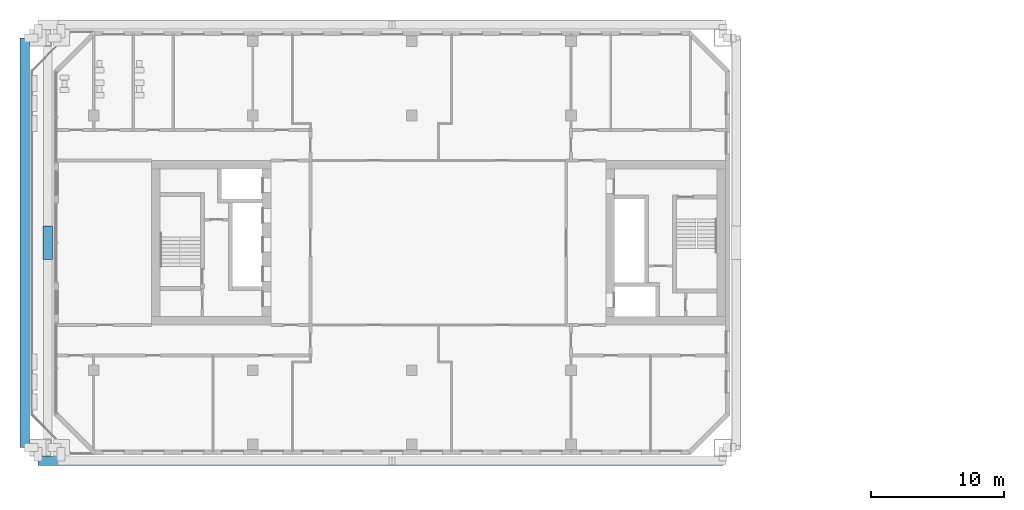
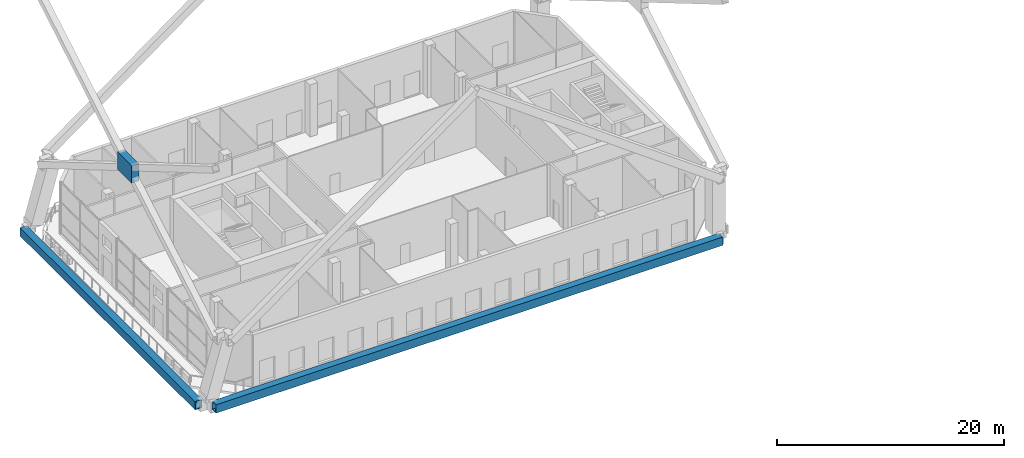
# One storey, part 3 of 20: 2 beams, 1 member.
"""IFC4 building model written with IfcOpenShell, lengths in metres."""

import ifcopenshell
import ifcopenshell.guid

model = None  # the IFC model being written
_history = None  # IfcOwnerHistory: only IFC2X3 demands one
_inside = {}  # id of a spatial element -> (the spatial element, [elements in it])
_under = {}  # id of a project, library or spatial element -> (it, [spatial elements below it])
_declared = {}  # id of a project -> (the project, [libraries it declares])
_typed = {}  # id of a type object -> (the type object, [elements of that type])
_made_of = {}  # id of a material, layer set ... -> (it, [elements and type objects made of it])


def new_model(schema):
    """Start an empty IFC model of exactly this schema.

    Asked for "IFC4X3", IfcOpenShell would pick the latest addendum, in which some entities
    have other attributes; the version numbers below select the first issue.
    IFC2X3 requires an IfcOwnerHistory on every rooted entity: one is made here for all.
    """
    global model, _history
    if schema == "IFC4X3":
        model = ifcopenshell.file(schema_version=(4, 3, 0, 0))
    else:
        model = ifcopenshell.file(schema=schema)
    _inside.clear()
    _under.clear()
    _declared.clear()
    _typed.clear()
    _made_of.clear()
    _history = None
    if model.schema == "IFC2X3":
        org = make("IfcOrganization", Name="unknown")
        user = make(
            "IfcPersonAndOrganization",
            ThePerson=make("IfcPerson", FamilyName="unknown"),
            TheOrganization=org,
        )
        app = make(
            "IfcApplication",
            ApplicationDeveloper=org,
            Version="unknown",
            ApplicationFullName="unknown",
            ApplicationIdentifier="unknown",
        )
        _history = make(
            "IfcOwnerHistory",
            OwningUser=user,
            OwningApplication=app,
            ChangeAction="ADDED",
            CreationDate=0,
        )
    return model


def make(cls, **values):
    """One entity of the class cls with the attributes given. An attribute that is None is left unset."""
    return model.create_entity(
        cls, **{name: value for name, value in values.items() if value is not None}
    )


def rooted(cls, **values):
    """An entity with a GlobalId (a new one), such as an element, a storey or a relation."""
    return make(cls, GlobalId=ifcopenshell.guid.new(), OwnerHistory=_history, **values)


def si_unit(unit_type, name, prefix=None):
    """IfcSIUnit, for example si_unit("LENGTHUNIT", "METRE", prefix="MILLI")."""
    return make("IfcSIUnit", UnitType=unit_type, Prefix=prefix, Name=name)


def assignment(units):
    """IfcUnitAssignment: the units of a project."""
    return None if units is None else make("IfcUnitAssignment", Units=units)


def point(xyz):
    """IfcCartesianPoint."""
    return None if xyz is None else make("IfcCartesianPoint", Coordinates=xyz)


def direction(xyz):
    """IfcDirection."""
    return None if xyz is None else make("IfcDirection", DirectionRatios=xyz)


def frame(location, z_axis=None, x_axis=None):
    """IfcAxis2Placement3D, a coordinate frame: its origin and axes. An axis left out is left unset."""
    return make(
        "IfcAxis2Placement3D",
        Location=point(location),
        Axis=direction(z_axis),
        RefDirection=direction(x_axis),
    )


def frame_2d(location, x_axis=None):
    """IfcAxis2Placement2D, a coordinate frame in the plane: its origin and x axis."""
    return make(
        "IfcAxis2Placement2D", Location=point(location), RefDirection=direction(x_axis)
    )


def origin():
    """The frame at (0, 0, 0) with its axes left unset."""
    return frame((0.0, 0.0, 0.0))


def origin_2d():
    """The frame at (0, 0) in the plane with its x axis left unset."""
    return frame_2d((0.0, 0.0))


def place(relative_to, where):
    """IfcLocalPlacement: puts the frame where relative to a parent placement (None: the world)."""
    return make(
        "IfcLocalPlacement", PlacementRelTo=relative_to, RelativePlacement=where
    )


def context(
    kind, dimensions, precision=None, world=None, true_north=None, identifier=None
):
    """IfcGeometricRepresentationContext, for example the 3D "Model" context."""
    return make(
        "IfcGeometricRepresentationContext",
        ContextIdentifier=identifier,
        ContextType=kind,
        CoordinateSpaceDimension=dimensions,
        Precision=precision,
        WorldCoordinateSystem=world,
        TrueNorth=true_north,
    )


def subcontext(parent, identifier, kind, view, scale=None):
    """IfcGeometricRepresentationSubContext, for example "Body" below "Model"."""
    return make(
        "IfcGeometricRepresentationSubContext",
        ContextIdentifier=identifier,
        ContextType=kind,
        ParentContext=parent,
        TargetScale=scale,
        TargetView=view,
    )


def project(units=None, contexts=None):
    """IfcProject with its units and contexts."""
    return rooted(
        "IfcProject",
        Name="project",
        RepresentationContexts=contexts,
        UnitsInContext=assignment(units),
    )


def spatial(cls, under=None, at=None, **own):
    """A site, building, storey or space (cls), placed at a placement, below another one or the project."""
    s = rooted(cls, ObjectPlacement=at, **own)
    if under is not None:
        _under.setdefault(under.id(), (under, []))[1].append(s)
    return s


def profile(cls, at=None, kind="AREA", **sizes):
    """A parametric profile (cls). Its sizes go by their IFC names, for example OverallWidth=200.0."""
    return make(cls, ProfileType=kind, Position=at, **sizes)


def rectangle(**sizes):
    """IfcRectangleProfileDef."""
    return profile("IfcRectangleProfileDef", **sizes)


def hollow_rectangle(**sizes):
    """IfcRectangleHollowProfileDef."""
    return profile("IfcRectangleHollowProfileDef", **sizes)


def extrude(swept, where, along, depth):
    """IfcExtrudedAreaSolid: the profile swept, set in the frame where, extruded along a direction by depth."""
    return make(
        "IfcExtrudedAreaSolid",
        SweptArea=swept,
        Position=where,
        ExtrudedDirection=direction(along),
        Depth=depth,
    )


def shape(context_of_items, identifier, shape_type, items):
    """IfcShapeRepresentation: the items that make up one representation, for example the "Body"."""
    return make(
        "IfcShapeRepresentation",
        ContextOfItems=context_of_items,
        RepresentationIdentifier=identifier,
        RepresentationType=shape_type,
        Items=items,
    )


def material(Name=None, Category=None):
    """IfcMaterial."""
    return make("IfcMaterial", Name=Name, Category=Category)


def material_profile(
    of_material, cross_section, Name=None, Category=None, Priority=None
):
    """IfcMaterialProfile: a cross section and its material."""
    return make(
        "IfcMaterialProfile",
        Name=Name,
        Material=of_material,
        Profile=cross_section,
        Priority=Priority,
        Category=Category,
    )


def profile_set(profiles, Name=None, composite=None):
    """IfcMaterialProfileSet."""
    return make(
        "IfcMaterialProfileSet",
        Name=Name,
        MaterialProfiles=profiles,
        CompositeProfile=composite,
    )


def made_of(thing, what):
    """Note that an element or type object is made of a material, layer set ...; save() writes the relation."""
    if what is not None:
        _made_of.setdefault(what.id(), (what, []))[1].append(thing)
    return thing


def type_object(cls, material=None, **own):
    """A type object (cls), such as IfcWallType, which elements share."""
    return made_of(rooted(cls, **own), material)


def element(
    cls,
    number,
    at=None,
    inside=None,
    cuts=None,
    type_object=None,
    material=None,
    context=None,
    identifier="Body",
    shape_type=None,
    held_by="IfcProductDefinitionShape",
    body=None,
    shapes=None,
    **own,
):
    """One element of the class cls, such as IfcWall. Its Tag is "e" and its number.

    at: its placement. inside: the storey or other place that contains it. cuts: it is an
    opening in that element (IfcRelVoidsElement). A single representation is given by context,
    identifier, shape_type and body (its items); several are given by shapes. held_by: the class
    of the entity that holds the representations. save() writes the other relations.
    """
    e = rooted(cls, Tag="e%d" % number, ObjectPlacement=at, **own)
    if body is not None:
        shapes = [shape(context, identifier, shape_type, body)]
    if shapes is not None:
        e.Representation = make(held_by, Representations=shapes)
    if inside is not None:
        _inside.setdefault(inside.id(), (inside, []))[1].append(e)
    if cuts is not None:
        rooted(
            "IfcRelVoidsElement", RelatingBuildingElement=cuts, RelatedOpeningElement=e
        )
    if type_object is not None:
        _typed.setdefault(type_object.id(), (type_object, []))[1].append(e)
    return made_of(e, material)


def aggregate(whole, parts):
    """IfcRelAggregates: a whole, such as a stair, and the parts it consists of."""
    return rooted("IfcRelAggregates", RelatingObject=whole, RelatedObjects=parts)


def save(model, path):
    """Write the relations noted so far, then the file.

    IfcRelAggregates (storeys below a building ...), IfcRelContainedInSpatialStructure (elements
    in a storey), IfcRelDefinesByType, IfcRelAssociatesMaterial and IfcRelDeclares: one each for
    every whole, place, type object, material and project.
    """
    for whole, parts in _under.values():
        aggregate(whole, parts)
    for where, things in _inside.values():
        rooted(
            "IfcRelContainedInSpatialStructure",
            RelatedElements=things,
            RelatingStructure=where,
        )
    for kind, things in _typed.values():
        rooted("IfcRelDefinesByType", RelatedObjects=things, RelatingType=kind)
    for what, things in _made_of.values():
        rooted("IfcRelAssociatesMaterial", RelatedObjects=things, RelatingMaterial=what)
    for by, libraries in _declared.values():
        rooted("IfcRelDeclares", RelatingContext=by, RelatedDefinitions=libraries)
    model.write(path)


model = new_model("IFC4")

# Units and contexts
model_context = context("Model", 3, precision=1e-05, world=origin(), true_north=direction((0.0, 1.0)))
body_context = subcontext(model_context, "Body", "Model", "MODEL_VIEW")
ifc_project = project(units=[si_unit("LENGTHUNIT", "METRE"), si_unit("AREAUNIT", "SQUARE_METRE"), si_unit("VOLUMEUNIT", "CUBIC_METRE"), si_unit("PLANEANGLEUNIT", "RADIAN"), si_unit("MASSUNIT", "GRAM", prefix="KILO")], contexts=[model_context])

# Site, building, storey
site_placement = place(None, origin())
site = spatial("IfcSite", under=ifc_project, at=site_placement, CompositionType="ELEMENT")
building_placement = place(site_placement, origin())
building = spatial("IfcBuilding", under=site, at=building_placement, Name="Tuart Gate Housing", CompositionType="ELEMENT")
storey_placement = place(building_placement, frame((0.0, 0.0, 90.199951171875)))
storey = spatial("IfcBuildingStorey", under=building, at=storey_placement, Name="L25", CompositionType="ELEMENT", Elevation=90.199951171875)

# Member
ifc_material_1 = material(Name="Steel Grade 350", Category="steel")
ifc_material_profile_1 = material_profile(ifc_material_1, rectangle(XDim=2.537109375, YDim=1.864013671875, at=origin_2d()), Name="Brace node plate 2537 x 1864")
ifc_profile_set_1 = profile_set([ifc_material_profile_1], Name="Steel Grade 350")
member_type = type_object("IfcMemberType", Name="Brace node plate 2537 x 1864", PredefinedType="PLATE", material=ifc_profile_set_1)
member_placement = place(storey_placement, frame((24.181884765625, 70.0, 15.300048828125), z_axis=(1.0, 0.0, 0.0), x_axis=(0.0, 1.0, 0.0)))
element("IfcMember", 1, at=member_placement, inside=storey, type_object=member_type, Name="Brace node A zone 4 west", PredefinedType="PLATE", context=body_context, shape_type="SweptSolid", body=[
    extrude(rectangle(XDim=2.537109375, YDim=1.864013671875, at=origin_2d()), origin(), (0.0, 0.0, 1.0), 0.736083984375),
])

# Beams
ifc_material_2 = material(Name="Steel Grade 350", Category="steel")
ifc_material_profile_2 = material_profile(ifc_material_2, hollow_rectangle(XDim=0.699951171875, YDim=0.89990234375, WallThickness=0.0400390625, at=origin_2d()), Name="BOX 900x700x40")
ifc_profile_set_2 = profile_set([ifc_material_profile_2], Name="Steel Grade 350")
beam_type_1 = type_object("IfcBeamType", Name="Tie beam BOX 900x700x40", PredefinedType="BEAM", material=ifc_profile_set_2)
beam_1_placement = place(storey_placement, frame((22.800048828125, 54.550048828125, -0.39990234375), z_axis=(0.0, 1.0, 0.0), x_axis=(-1.0, 0.0, 0.0)))
element("IfcBeam", 2, at=beam_1_placement, inside=storey, type_object=beam_type_1, Name="Mega tie beam A node 3 west L25", PredefinedType="BEAM", context=body_context, shape_type="SweptSolid", body=[
    extrude(hollow_rectangle(XDim=0.699951171875, YDim=0.89990234375, WallThickness=0.0400390625, at=origin_2d()), origin(), (0.0, 0.0, 1.0), 30.89990234375),
])
ifc_material_3 = material(Name="Steel Grade 350", Category="steel")
ifc_material_profile_3 = material_profile(ifc_material_3, hollow_rectangle(XDim=0.699951171875, YDim=0.89990234375, WallThickness=0.0400390625, at=origin_2d()), Name="BOX 900x700x40")
ifc_profile_set_3 = profile_set([ifc_material_profile_3], Name="Steel Grade 350")
beam_type_2 = type_object("IfcBeamType", Name="Tie beam BOX 900x700x40 (40.6-51.7 m)", PredefinedType="BEAM", material=ifc_profile_set_3)
beam_2_placement = place(storey_placement, frame((23.800048828125, 53.550048828125, -0.39990234375), z_axis=(1.0, 0.0, 0.0), x_axis=(0.0, 1.0, 0.0)))
element("IfcBeam", 3, at=beam_2_placement, inside=storey, type_object=beam_type_2, Name="Mega tie beam A node 3 south L25", PredefinedType="BEAM", context=body_context, shape_type="SweptSolid", body=[
    extrude(hollow_rectangle(XDim=0.699951171875, YDim=0.89990234375, WallThickness=0.0400390625, at=origin_2d()), origin(), (0.0, 0.0, 1.0), 51.64990234375),
])

save(model, "model.ifc")
